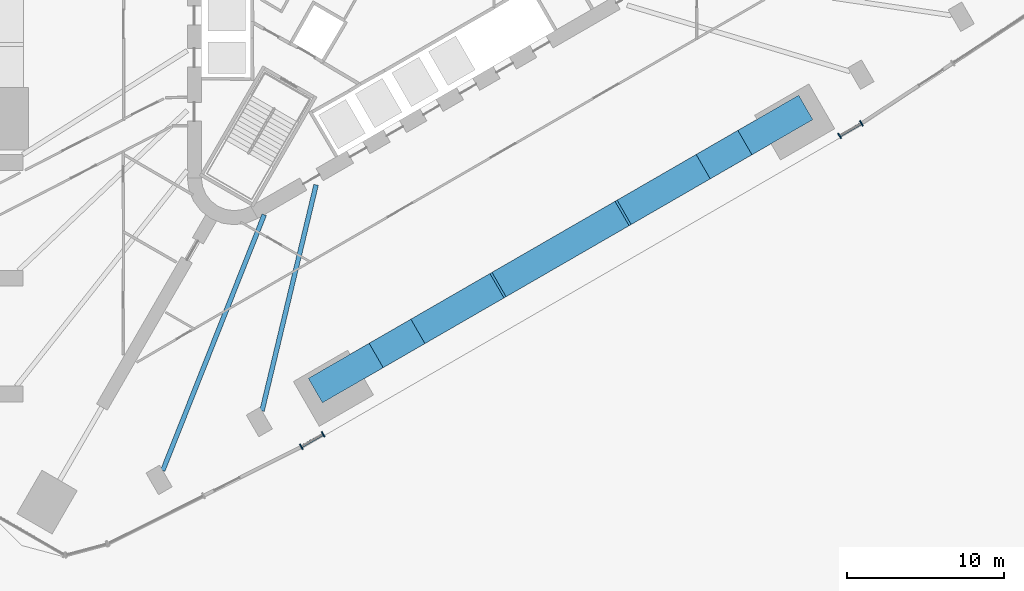
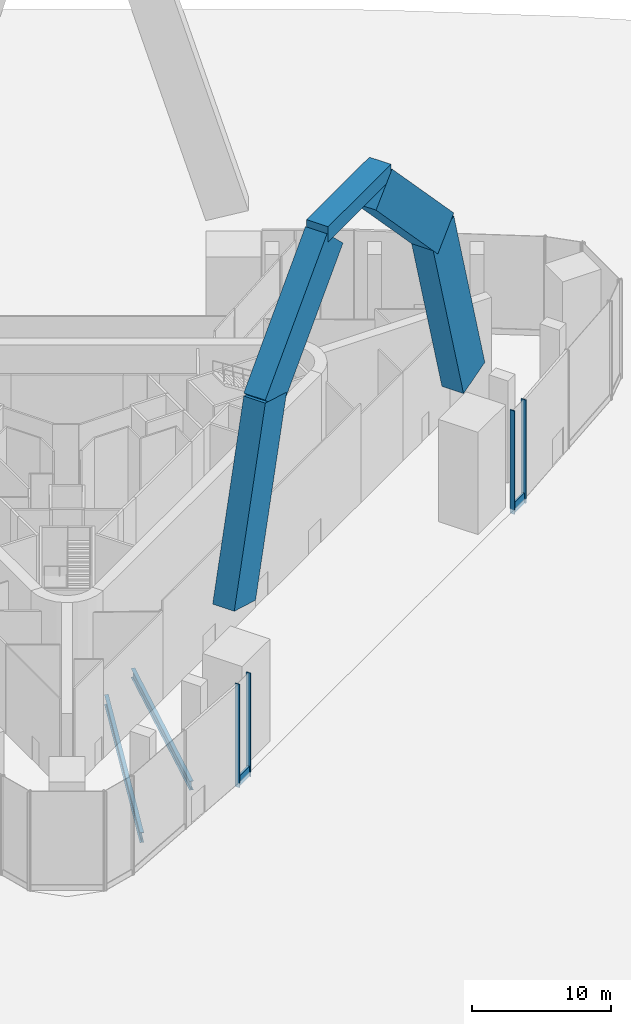
# One storey, part 4 of 22: 7 beams, 6 members, 2 elements without a shape of their own.
"""IFC4 building model written with IfcOpenShell, lengths in metres."""

from ifc_helpers import new_model, si_unit, direction, frame, origin, origin_2d, place, context, subcontext, project, spatial, rectangle, i_section, extrude, material, material_profile, profile_set, type_object, element, aggregate, save


model = new_model("IFC4")

# Units and contexts
model_context = context("Model", 3, precision=1e-05, world=origin(), true_north=direction((0.0, 1.0)))
body_context = subcontext(model_context, "Body", "Model", "MODEL_VIEW")
ifc_project = project(units=[si_unit("LENGTHUNIT", "METRE"), si_unit("AREAUNIT", "SQUARE_METRE"), si_unit("VOLUMEUNIT", "CUBIC_METRE"), si_unit("PLANEANGLEUNIT", "RADIAN"), si_unit("MASSUNIT", "GRAM", prefix="KILO")], contexts=[model_context])

# Site, building, storey
site_placement = place(None, origin())
site = spatial("IfcSite", under=ifc_project, at=site_placement, CompositionType="ELEMENT")
building_placement = place(site_placement, origin())
building = spatial("IfcBuilding", under=site, at=building_placement, Name="Tanit Gate Tower", CompositionType="ELEMENT")
storey_placement = place(building_placement, origin())
storey = spatial("IfcBuildingStorey", under=building, at=storey_placement, Name="L00", CompositionType="ELEMENT", Elevation=0.0)

# Beams
ifc_material_1 = material(Name="Concrete C80/95", Category="concrete")
ifc_material_profile_1 = material_profile(ifc_material_1, rectangle(XDim=1.800048828125, YDim=1.330078125, at=origin_2d()), Name="RC 1800x1330")
ifc_profile_set_1 = profile_set([ifc_material_profile_1], Name="Concrete C80/95")
beam_type_1 = type_object("IfcBeamType", Name="ARCH CROWN BEAM RC 1800x1330 C80/95", PredefinedType="USERDEFINED", material=ifc_profile_set_1)
beam_1_placement = place(storey_placement, frame((7.799072265625, -22.578857421875, 37.864990234375), z_axis=(0.866028258222, 0.499995055936, 0.0), x_axis=(-0.499995055936, 0.866028258222, 0.0)))
element("IfcBeam", 1, at=beam_1_placement, inside=storey, type_object=beam_type_1, Name="ARCH RIB", ObjectType="ARCH RIB", PredefinedType="USERDEFINED", context=body_context, shape_type="SweptSolid", body=[
    extrude(rectangle(XDim=1.800048828125, YDim=1.330078125, at=origin_2d()), origin(), (0.0, 0.0, 1.0), 9.0703125),
])
ifc_material_2 = material(Name="Concrete C80/95", Category="concrete")
ifc_material_profile_2 = material_profile(ifc_material_2, rectangle(XDim=1.800048828125, YDim=3.199951171875, at=origin_2d()), Name="RC 1800x3200")
ifc_profile_set_2 = profile_set([ifc_material_profile_2], Name="Concrete C80/95")
beam_type_2 = type_object("IfcBeamType", Name="ARCH RIB RC 1800x3200 C80/95", PredefinedType="USERDEFINED", material=ifc_profile_set_2)
beam_2_placement = place(storey_placement, frame((-2.595458984375, -28.580078125, 12.44189453125), z_axis=(0.239227554898, 0.138110753343, 0.961090836908), x_axis=(-0.499980071345, 0.866036909293, 0.0)))
element("IfcBeam", 2, at=beam_2_placement, inside=storey, type_object=beam_type_2, Name="ARCH RIB", ObjectType="ARCH RIB", PredefinedType="USERDEFINED", context=body_context, shape_type="SweptSolid", body=[
    extrude(rectangle(XDim=1.800048828125, YDim=3.199951171875, at=origin_2d()), origin(), (0.0, 0.0, 1.0), 16.234619140625),
])
for number, where, z_axis, x_axis, name in (
    (3, (0.952880859375, -26.531494140625, 27.641845703125), (0.600166140136, 0.346507647086, 0.720925138101), (-0.500001693171, 0.86602442623, 0.0), "ARCH RIB"),
    (4, (14.788330078125, -18.543701171875, 36.90576171875), (0.600166140136, 0.346507647086, -0.720925138101), (-0.500001693171, 0.86602442623, 0.0), "ARCH RIB"),
):
    element("IfcBeam", number, at=place(storey_placement, frame(where, z_axis=z_axis, x_axis=x_axis)), inside=storey, type_object=beam_type_2, Name=name, ObjectType="ARCH RIB", PredefinedType="USERDEFINED", context=body_context, shape_type="SweptSolid", body=[
        extrude(rectangle(XDim=1.800048828125, YDim=3.199951171875, at=origin_2d()), origin(), (0.0, 0.0, 1.0), 12.85009765625),
    ])
beam_3_placement = place(storey_placement, frame((22.1650390625, -14.28466796875, 28.044921875), z_axis=(0.239227554898, 0.138110753343, -0.961090836908), x_axis=(-0.499980071345, 0.866036909293, 0.0)))
element("IfcBeam", 5, at=beam_3_placement, inside=storey, type_object=beam_type_2, Name="ARCH RIB", ObjectType="ARCH RIB", PredefinedType="USERDEFINED", context=body_context, shape_type="SweptSolid", body=[
    extrude(rectangle(XDim=1.800048828125, YDim=3.199951171875, at=origin_2d()), origin(), (0.0, 0.0, 1.0), 16.234619140625),
])

# Curtain wall, members
ifc_material_3 = material(Name="Aluminium bronze anodised and glass", Category="aluminium")
curtain_wall_type = type_object("IfcCurtainWallType", Name="Curtain wall shopfront", PredefinedType="NOTDEFINED", material=ifc_material_3)
curtain_wall_1_placement = place(storey_placement, origin())
curtain_wall_1 = element("IfcCurtainWall", 6, at=curtain_wall_1_placement, inside=storey, type_object=curtain_wall_type, Name="Curtain wall L00 SE2a", PredefinedType="NOTDEFINED")
ifc_material_4 = material(Name="Aluminium bronze anodised", Category="aluminium")
ifc_material_profile_3 = material_profile(ifc_material_4, rectangle(XDim=0.3798828125, YDim=0.080078125, at=origin_2d()), Name="80x380 bronze mullion")
ifc_profile_set_3 = profile_set([ifc_material_profile_3], Name="Aluminium bronze anodised")
member_type_1 = type_object("IfcMemberType", Name="Mullion 80x380 shopfront", PredefinedType="MULLION", material=ifc_profile_set_3)
member_1_placement = place(storey_placement, frame((-4.824462890625, -32.934326171875, -0.39990234375), z_axis=(0.0, 0.0, 1.0), x_axis=(-0.500060047936, 0.865990732317, 0.0)))
member_1 = element("IfcMember", 7, at=member_1_placement, type_object=member_type_1, Name="Mullion L00 SE2a.1", PredefinedType="MULLION", context=body_context, shape_type="SweptSolid", body=[
    extrude(rectangle(XDim=0.3798828125, YDim=0.080078125, at=origin_2d()), origin(), (0.0, 0.0, 1.0), 9.099853515625),
])
member_2_placement = place(storey_placement, frame((-3.434326171875, -32.131591796875, -0.39990234375), z_axis=(0.0, 0.0, 1.0), x_axis=(-0.500060047936, 0.865990732317, 0.0)))
member_2 = element("IfcMember", 8, at=member_2_placement, type_object=member_type_1, Name="Mullion L00 SE2a.2", PredefinedType="MULLION", context=body_context, shape_type="SweptSolid", body=[
    extrude(rectangle(XDim=0.3798828125, YDim=0.080078125, at=origin_2d()), origin(), (0.0, 0.0, 1.0), 9.099853515625),
])

curtain_wall_2_placement = place(storey_placement, origin())
curtain_wall_2 = element("IfcCurtainWall", 9, at=curtain_wall_2_placement, inside=storey, type_object=curtain_wall_type, Name="Curtain wall L00 SE2b", PredefinedType="NOTDEFINED")
member_3_placement = place(storey_placement, frame((29.542724609375, -13.08935546875, -0.39990234375), z_axis=(0.0, 0.0, 1.0), x_axis=(-0.500060047936, 0.865990732317, 0.0)))
member_3 = element("IfcMember", 10, at=member_3_placement, type_object=member_type_1, Name="Mullion L00 SE2b.1", PredefinedType="MULLION", context=body_context, shape_type="SweptSolid", body=[
    extrude(rectangle(XDim=0.3798828125, YDim=0.080078125, at=origin_2d()), origin(), (0.0, 0.0, 1.0), 9.099853515625),
])
member_4_placement = place(storey_placement, frame((30.932861328125, -12.28662109375, -0.39990234375), z_axis=(0.0, 0.0, 1.0), x_axis=(-0.500060047936, 0.865990732317, 0.0)))
member_4 = element("IfcMember", 11, at=member_4_placement, type_object=member_type_1, Name="Mullion L00 SE2b.2", PredefinedType="MULLION", context=body_context, shape_type="SweptSolid", body=[
    extrude(rectangle(XDim=0.3798828125, YDim=0.080078125, at=origin_2d()), origin(), (0.0, 0.0, 1.0), 9.099853515625),
])

# Beams
ifc_material_5 = material(Name="Steel S355", Category="steel")
ifc_material_profile_4 = material_profile(ifc_material_5, i_section(OverallWidth=0.300048828125, OverallDepth=0.7900390625, WebThickness=0.014892578125, FlangeThickness=0.028076171875, FilletRadius=0.030029296875, at=origin_2d()), Name="HEA 800")
ifc_profile_set_4 = profile_set([ifc_material_profile_4], Name="Steel S355")
beam_type_3 = type_object("IfcBeamType", Name="RADIAL GIRDER HEA 800 S355", PredefinedType="BEAM", material=ifc_profile_set_4)
beam_4_placement = place(storey_placement, frame((-7.33251953125, -30.648193359375, -0.794921875), z_axis=(0.232680439766, 0.972553244275, 0.0), x_axis=(-0.972553244275, 0.232680439766, 0.0)))
element("IfcBeam", 12, at=beam_4_placement, inside=storey, type_object=beam_type_3, Name="RADIAL GIRDER", PredefinedType="BEAM", context=body_context, shape_type="SweptSolid", body=[
    extrude(i_section(OverallWidth=0.300048828125, OverallDepth=0.7900390625, WebThickness=0.014892578125, FlangeThickness=0.028076171875, FilletRadius=0.030029296875, at=origin_2d()), origin(), (0.0, 0.0, 1.0), 14.841796875),
])
ifc_material_6 = material(Name="Steel S355", Category="steel")
ifc_material_profile_5 = material_profile(ifc_material_6, i_section(OverallWidth=0.300048828125, OverallDepth=0.889892578125, WebThickness=0.01611328125, FlangeThickness=0.030029296875, FilletRadius=0.030029296875, at=origin_2d()), Name="HEA 900")
ifc_profile_set_5 = profile_set([ifc_material_profile_5], Name="Steel S355")
beam_type_4 = type_object("IfcBeamType", Name="RADIAL GIRDER HEA 900 S355", PredefinedType="BEAM", material=ifc_profile_set_5)
beam_5_placement = place(storey_placement, frame((-13.66796875, -34.4580078125, -0.844970703125), z_axis=(0.368718043826, 0.929541286957, 0.0), x_axis=(-0.929541286957, 0.368718043826, 0.0)))
element("IfcBeam", 13, at=beam_5_placement, inside=storey, type_object=beam_type_4, Name="RADIAL GIRDER", PredefinedType="BEAM", context=body_context, shape_type="SweptSolid", body=[
    extrude(i_section(OverallWidth=0.300048828125, OverallDepth=0.889892578125, WebThickness=0.01611328125, FlangeThickness=0.030029296875, FilletRadius=0.030029296875, at=origin_2d()), origin(), (0.0, 0.0, 1.0), 17.571044921875),
])

# Member
ifc_material_7 = material(Name="Aluminium bronze anodised", Category="aluminium")
ifc_material_profile_6 = material_profile(ifc_material_7, rectangle(XDim=0.179931640625, YDim=0.89990234375, at=origin_2d()), Name="180x900 bronze transom")
ifc_profile_set_6 = profile_set([ifc_material_profile_6], Name="Aluminium bronze anodised")
member_type_2 = type_object("IfcMemberType", Name="Transom 180x900 shopfront", PredefinedType="USERDEFINED", material=ifc_profile_set_6)
member_5_placement = place(storey_placement, frame((-4.789794921875, -32.914306640625, 0.050048828125), z_axis=(0.866028335764, 0.499994921628, 0.0), x_axis=(-0.499994921628, 0.866028335764, 0.0)))
member_5 = element("IfcMember", 14, at=member_5_placement, type_object=member_type_2, Name="Transom L00 SE2a.1", ObjectType="TRANSOM", PredefinedType="USERDEFINED", context=body_context, shape_type="SweptSolid", body=[
    extrude(rectangle(XDim=0.179931640625, YDim=0.89990234375, at=origin_2d()), origin(), (0.0, 0.0, 1.0), 1.525390625),
])

aggregate(curtain_wall_1, [member_1, member_2, member_5])

member_6_placement = place(storey_placement, frame((29.577392578125, -13.0693359375, 0.050048828125), z_axis=(0.865988315859, 0.50006423267, 0.0), x_axis=(-0.50006423267, 0.865988315859, 0.0)))
member_6 = element("IfcMember", 15, at=member_6_placement, type_object=member_type_2, Name="Transom L00 SE2b.1", ObjectType="TRANSOM", PredefinedType="USERDEFINED", context=body_context, shape_type="SweptSolid", body=[
    extrude(rectangle(XDim=0.179931640625, YDim=0.89990234375, at=origin_2d()), origin(), (0.0, 0.0, 1.0), 1.525146484375),
])

aggregate(curtain_wall_2, [member_3, member_4, member_6])

save(model, "model.ifc")
